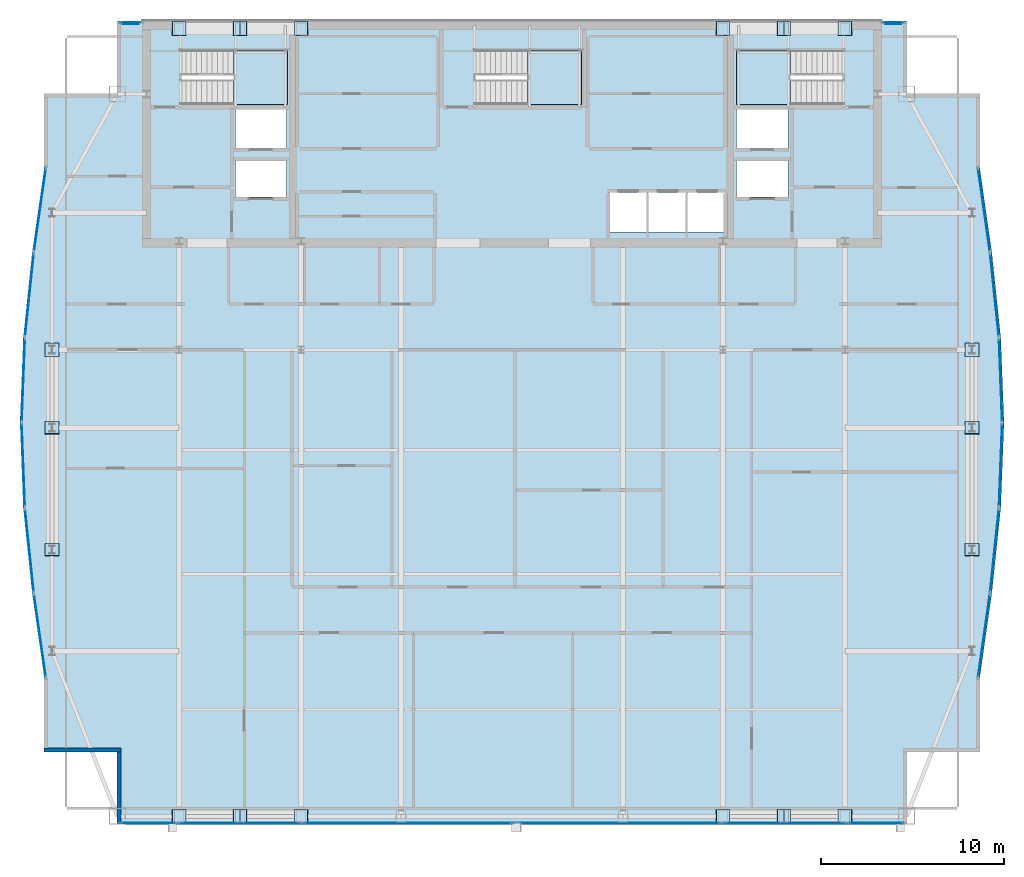
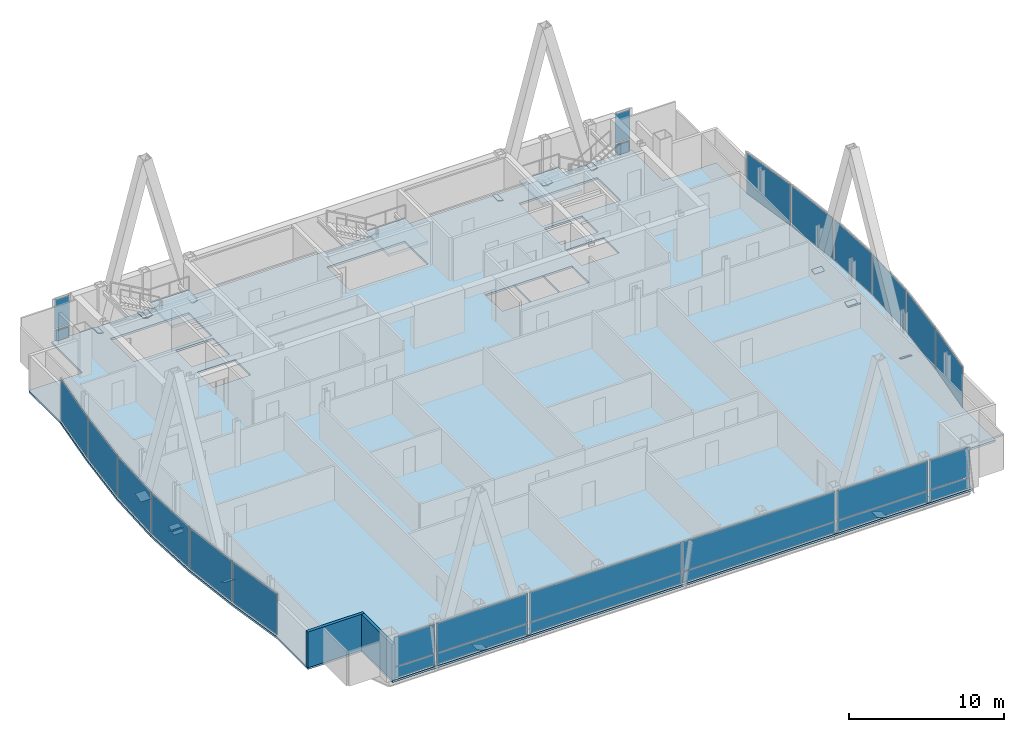
# One storey, part 23 of 29: 54 plates, 4 slabs, 2 walls, 22 elements without a shape of their own.
"""IFC4 building model written with IfcOpenShell, lengths in metres."""

from ifc_helpers import new_model, si_unit, direction, frame, frame_2d, origin, origin_2d, place, context, subcontext, project, spatial, polyline, rectangle, outline, extrude, material, layer, layer_set, type_object, element, aggregate, save


model = new_model("IFC4")

# Units and contexts
model_context = context("Model", 3, precision=1e-05, world=origin(), true_north=direction((0.0, 1.0)))
body_context = subcontext(model_context, "Body", "Model", "MODEL_VIEW")
ifc_project = project(units=[si_unit("LENGTHUNIT", "METRE"), si_unit("AREAUNIT", "SQUARE_METRE"), si_unit("VOLUMEUNIT", "CUBIC_METRE"), si_unit("PLANEANGLEUNIT", "RADIAN"), si_unit("MASSUNIT", "GRAM", prefix="KILO")], contexts=[model_context])

# Site, building, storey
site_placement = place(None, origin())
site = spatial("IfcSite", under=ifc_project, at=site_placement, CompositionType="ELEMENT")
building_placement = place(site_placement, origin())
building = spatial("IfcBuilding", under=site, at=building_placement, Name="Khoronbel Lancet Exchange", CompositionType="ELEMENT")
storey_placement = place(building_placement, frame((0.0, 0.0, 302.199951171875)))
storey = spatial("IfcBuildingStorey", under=building, at=storey_placement, Name="L78", CompositionType="ELEMENT", Elevation=302.199951171875)

# Curtain wall, plate
ifc_material_1 = material(Name="Low-E Solar Control Insulating Glass", Category="glass")
curtain_wall_type_1 = type_object("IfcCurtainWallType", Name="CW-4", PredefinedType="NOTDEFINED", material=ifc_material_1)
curtain_wall_1_placement = place(storey_placement, origin())
curtain_wall_1 = element("IfcCurtainWall", 1, at=curtain_wall_1_placement, inside=storey, type_object=curtain_wall_type_1, Name="Unitised curtain wall CW-L78-E05", PredefinedType="NOTDEFINED")
ifc_material_2 = material(Name="Bronze-Anodised Aluminium 6063-T6", Category="aluminium")
ifc_layer_1 = layer(ifc_material_2, 0.050048828125, Name="Bronze-Anodised Aluminium 6063-T6")
ifc_layer_set_1 = layer_set([ifc_layer_1], Name="Bronze-Anodised Aluminium 6063-T6")
plate_type_1 = type_object("IfcPlateType", Name="PLT-CSP1", PredefinedType="SHEET", material=ifc_layer_set_1)
plate_1_placement = place(storey_placement, frame((10.02783203125, 24.708740234375, 0.0849609375), z_axis=(0.0, 0.0, 1.0), x_axis=(-0.104130613712, 0.994563630588, 0.0)))
plate_1 = element("IfcPlate", 2, at=plate_1_placement, type_object=plate_type_1, Name="CW4 panel 1.1", PredefinedType="CURTAIN_PANEL", context=body_context, shape_type="SweptSolid", body=[
    extrude(rectangle(XDim=4.537353515625, YDim=0.0380859375, at=origin_2d()), origin(), (0.0, 0.0, 1.0), 3.2099609375),
])
aggregate(curtain_wall_1, [plate_1])

curtain_wall_2_placement = place(storey_placement, origin())
curtain_wall_2 = element("IfcCurtainWall", 3, at=curtain_wall_2_placement, inside=storey, type_object=curtain_wall_type_1, Name="Unitised curtain wall CW-L78-E06", PredefinedType="NOTDEFINED")
plate_2_placement = place(storey_placement, frame((9.694580078125, 29.369873046875, 0.0849609375), z_axis=(0.0, 0.0, 1.0), x_axis=(-0.038274190189, 0.99926727474, 0.0)))
plate_2 = element("IfcPlate", 4, at=plate_2_placement, type_object=plate_type_1, Name="CW4 panel 1.1", PredefinedType="CURTAIN_PANEL", context=body_context, shape_type="SweptSolid", body=[
    extrude(rectangle(XDim=4.513671875, YDim=0.0380859375, at=origin_2d()), origin(), (0.0, 0.0, 1.0), 3.2099609375),
])
aggregate(curtain_wall_2, [plate_2])

curtain_wall_3_placement = place(storey_placement, origin())
curtain_wall_3 = element("IfcCurtainWall", 5, at=curtain_wall_3_placement, inside=storey, type_object=curtain_wall_type_1, Name="Unitised curtain wall CW-L78-E07", PredefinedType="NOTDEFINED")
plate_3_placement = place(storey_placement, frame((9.694580078125, 34.030029296875, 0.0849609375), z_axis=(0.0, 0.0, 1.0), x_axis=(0.038274190189, 0.99926727474, 0.0)))
plate_3 = element("IfcPlate", 6, at=plate_3_placement, type_object=plate_type_1, Name="CW4 panel 1.1", PredefinedType="CURTAIN_PANEL", context=body_context, shape_type="SweptSolid", body=[
    extrude(rectangle(XDim=4.513671875, YDim=0.0380859375, at=origin_2d()), origin(), (0.0, 0.0, 1.0), 3.2099609375),
])
aggregate(curtain_wall_3, [plate_3])

curtain_wall_4_placement = place(storey_placement, origin())
curtain_wall_4 = element("IfcCurtainWall", 7, at=curtain_wall_4_placement, inside=storey, type_object=curtain_wall_type_1, Name="Unitised curtain wall CW-L78-E08", PredefinedType="NOTDEFINED")
plate_4_placement = place(storey_placement, frame((10.02783203125, 38.691162109375, 0.0849609375), z_axis=(0.0, 0.0, 1.0), x_axis=(0.104130613712, 0.994563630588, 0.0)))
plate_4 = element("IfcPlate", 8, at=plate_4_placement, type_object=plate_type_1, Name="CW4 panel 1.1", PredefinedType="CURTAIN_PANEL", context=body_context, shape_type="SweptSolid", body=[
    extrude(rectangle(XDim=4.537353515625, YDim=0.0380859375, at=origin_2d()), origin(), (0.0, 0.0, 1.0), 3.2099609375),
])
aggregate(curtain_wall_4, [plate_4])

curtain_wall_type_2 = type_object("IfcCurtainWallType", Name="CW-3", PredefinedType="NOTDEFINED", material=ifc_material_1)
curtain_wall_5_placement = place(storey_placement, origin())
curtain_wall_5 = element("IfcCurtainWall", 9, at=curtain_wall_5_placement, inside=storey, type_object=curtain_wall_type_2, Name="Unitised curtain wall CW-L78-NWFLK", PredefinedType="NOTDEFINED")
plate_5_placement = place(storey_placement, frame((15.580078125, 53.550048828125, 0.0498046875), z_axis=(0.0, 0.0, 1.0), x_axis=(-1.0, 0.0, 0.0)))
plate_5 = element("IfcPlate", 10, at=plate_5_placement, type_object=plate_type_1, Name="Insulated bronze spandrel cassette CW-L78-NWFLK", PredefinedType="SHEET", context=body_context, shape_type="SweptSolid", body=[
    extrude(rectangle(XDim=0.89599609375, YDim=0.050048828125, at=origin_2d()), origin(), (0.0, 0.0, 1.0), 0.800048828125),
])

curtain_wall_6_placement = place(storey_placement, origin())
curtain_wall_6 = element("IfcCurtainWall", 11, at=curtain_wall_6_placement, inside=storey, type_object=curtain_wall_type_2, Name="Unitised curtain wall CW-L78-NEFLK", PredefinedType="NOTDEFINED")
plate_6_placement = place(storey_placement, frame((57.320068359375, 53.550048828125, 0.0498046875), z_axis=(0.0, 0.0, 1.0), x_axis=(-1.0, 0.0, 0.0)))
plate_6 = element("IfcPlate", 12, at=plate_6_placement, type_object=plate_type_1, Name="Insulated bronze spandrel cassette CW-L78-NEFLK", PredefinedType="SHEET", context=body_context, shape_type="SweptSolid", body=[
    extrude(rectangle(XDim=0.89599609375, YDim=0.050048828125, at=origin_2d()), origin(), (0.0, 0.0, 1.0), 0.800048828125),
])

curtain_wall_7_placement = place(storey_placement, origin())
curtain_wall_7 = element("IfcCurtainWall", 13, at=curtain_wall_7_placement, inside=storey, type_object=curtain_wall_type_1, Name="Unitised curtain wall CW-L78-E18", PredefinedType="NOTDEFINED")
plate_7_placement = place(storey_placement, frame((62.8720703125, 38.691162109375, 0.0849609375), z_axis=(0.0, 0.0, 1.0), x_axis=(0.104130613712, -0.994563630588, 0.0)))
plate_7 = element("IfcPlate", 14, at=plate_7_placement, type_object=plate_type_1, Name="CW4 panel 1.1", PredefinedType="CURTAIN_PANEL", context=body_context, shape_type="SweptSolid", body=[
    extrude(rectangle(XDim=4.537353515625, YDim=0.0380859375, at=origin_2d()), origin(), (0.0, 0.0, 1.0), 3.2099609375),
])
aggregate(curtain_wall_7, [plate_7])

curtain_wall_8_placement = place(storey_placement, origin())
curtain_wall_8 = element("IfcCurtainWall", 15, at=curtain_wall_8_placement, inside=storey, type_object=curtain_wall_type_1, Name="Unitised curtain wall CW-L78-E19", PredefinedType="NOTDEFINED")
plate_8_placement = place(storey_placement, frame((63.205322265625, 34.030029296875, 0.0849609375), z_axis=(0.0, 0.0, 1.0), x_axis=(0.038274190189, -0.99926727474, 0.0)))
plate_8 = element("IfcPlate", 16, at=plate_8_placement, type_object=plate_type_1, Name="CW4 panel 1.1", PredefinedType="CURTAIN_PANEL", context=body_context, shape_type="SweptSolid", body=[
    extrude(rectangle(XDim=4.513671875, YDim=0.0380859375, at=origin_2d()), origin(), (0.0, 0.0, 1.0), 3.2099609375),
])
aggregate(curtain_wall_8, [plate_8])

curtain_wall_9_placement = place(storey_placement, origin())
curtain_wall_9 = element("IfcCurtainWall", 17, at=curtain_wall_9_placement, inside=storey, type_object=curtain_wall_type_1, Name="Unitised curtain wall CW-L78-E20", PredefinedType="NOTDEFINED")
plate_9_placement = place(storey_placement, frame((63.205322265625, 29.369873046875, 0.0849609375), z_axis=(0.0, 0.0, 1.0), x_axis=(-0.038274190189, -0.99926727474, 0.0)))
plate_9 = element("IfcPlate", 18, at=plate_9_placement, type_object=plate_type_1, Name="CW4 panel 1.1", PredefinedType="CURTAIN_PANEL", context=body_context, shape_type="SweptSolid", body=[
    extrude(rectangle(XDim=4.513671875, YDim=0.0380859375, at=origin_2d()), origin(), (0.0, 0.0, 1.0), 3.2099609375),
])
aggregate(curtain_wall_9, [plate_9])

curtain_wall_10_placement = place(storey_placement, origin())
curtain_wall_10 = element("IfcCurtainWall", 19, at=curtain_wall_10_placement, inside=storey, type_object=curtain_wall_type_1, Name="Unitised curtain wall CW-L78-E21", PredefinedType="NOTDEFINED")
plate_10_placement = place(storey_placement, frame((62.8720703125, 24.708740234375, 0.0849609375), z_axis=(0.0, 0.0, 1.0), x_axis=(-0.104130613712, -0.994563630588, 0.0)))
plate_10 = element("IfcPlate", 20, at=plate_10_placement, type_object=plate_type_1, Name="CW4 panel 1.1", PredefinedType="CURTAIN_PANEL", context=body_context, shape_type="SweptSolid", body=[
    extrude(rectangle(XDim=4.537353515625, YDim=0.0380859375, at=origin_2d()), origin(), (0.0, 0.0, 1.0), 3.2099609375),
])
aggregate(curtain_wall_10, [plate_10])

# Curtain wall, plates
curtain_wall_11_placement = place(storey_placement, origin())
curtain_wall_11 = element("IfcCurtainWall", 21, at=curtain_wall_11_placement, inside=storey, type_object=curtain_wall_type_2, Name="Unitised curtain wall CW-L78-SWB", PredefinedType="NOTDEFINED")
plate_11_placement = place(storey_placement, frame((21.550048828125, 9.7900390625, 0.0849609375), z_axis=(0.0, 0.0, 1.0), x_axis=(1.0, 0.0, 0.0)))
plate_11 = element("IfcPlate", 22, at=plate_11_placement, type_object=plate_type_1, Name="CW3 panel 1.1", PredefinedType="CURTAIN_PANEL", context=body_context, shape_type="SweptSolid", body=[
    extrude(rectangle(XDim=6.72998046875, YDim=0.0380859375, at=origin_2d()), origin(), (0.0, 0.0, 1.0), 0.822509765625),
])
plate_12_placement = place(storey_placement, frame((21.550048828125, 9.7900390625, 0.99267578125), z_axis=(0.0, 0.0, 1.0), x_axis=(1.0, 0.0, 0.0)))
plate_12 = element("IfcPlate", 23, at=plate_12_placement, type_object=plate_type_1, Name="CW3 panel 1.2", PredefinedType="CURTAIN_PANEL", context=body_context, shape_type="SweptSolid", body=[
    extrude(rectangle(XDim=6.72998046875, YDim=0.0380859375, at=origin_2d()), origin(), (0.0, 0.0, 1.0), 2.302490234375),
])
aggregate(curtain_wall_11, [plate_11, plate_12])

curtain_wall_12_placement = place(storey_placement, origin())
curtain_wall_12 = element("IfcCurtainWall", 24, at=curtain_wall_12_placement, inside=storey, type_object=curtain_wall_type_2, Name="Unitised curtain wall CW-L78-SEB", PredefinedType="NOTDEFINED")
plate_13_placement = place(storey_placement, frame((51.35009765625, 9.7900390625, 0.0849609375), z_axis=(0.0, 0.0, 1.0), x_axis=(1.0, 0.0, 0.0)))
plate_13 = element("IfcPlate", 25, at=plate_13_placement, type_object=plate_type_1, Name="CW3 panel 1.1", PredefinedType="CURTAIN_PANEL", context=body_context, shape_type="SweptSolid", body=[
    extrude(rectangle(XDim=6.72998046875, YDim=0.0380859375, at=origin_2d()), origin(), (0.0, 0.0, 1.0), 0.822509765625),
])
plate_14_placement = place(storey_placement, frame((51.35009765625, 9.7900390625, 0.99267578125), z_axis=(0.0, 0.0, 1.0), x_axis=(1.0, 0.0, 0.0)))
plate_14 = element("IfcPlate", 26, at=plate_14_placement, type_object=plate_type_1, Name="CW3 panel 1.2", PredefinedType="CURTAIN_PANEL", context=body_context, shape_type="SweptSolid", body=[
    extrude(rectangle(XDim=6.72998046875, YDim=0.0380859375, at=origin_2d()), origin(), (0.0, 0.0, 1.0), 2.302490234375),
])
aggregate(curtain_wall_12, [plate_13, plate_14])

# Plate
ifc_layer_2 = layer(ifc_material_1, 0.035888671875, Name="Low-E Solar Control Insulating Glass")
ifc_layer_set_2 = layer_set([ifc_layer_2], Name="Low-E Solar Control Insulating Glass")
plate_type_2 = type_object("IfcPlateType", Name="PLT-CWP1", PredefinedType="CURTAIN_PANEL", material=ifc_layer_set_2)
plate_15_placement = place(storey_placement, frame((15.580078125, 53.610107421875, 0.0849609375), z_axis=(0.0, 0.0, 1.0), x_axis=(-1.0, 0.0, 0.0)))
plate_15 = element("IfcPlate", 27, at=plate_15_placement, type_object=plate_type_2, Name="CW3 panel 1.1", PredefinedType="CURTAIN_PANEL", context=body_context, shape_type="SweptSolid", body=[
    extrude(rectangle(XDim=1.110107421875, YDim=0.0380859375, at=origin_2d()), origin(), (0.0, 0.0, 1.0), 0.822509765625),
])

plate_16_placement = place(storey_placement, frame((15.580078125, 53.610107421875, 0.99267578125), z_axis=(0.0, 0.0, 1.0), x_axis=(-1.0, 0.0, 0.0)))
plate_16 = element("IfcPlate", 28, at=plate_16_placement, type_object=plate_type_2, Name="CW3 panel 1.2", PredefinedType="CURTAIN_PANEL", context=body_context, shape_type="SweptSolid", body=[
    extrude(rectangle(XDim=1.110107421875, YDim=0.0380859375, at=origin_2d()), origin(), (0.0, 0.0, 1.0), 2.302490234375),
])

aggregate(curtain_wall_5, [plate_15, plate_16, plate_5])

plate_17_placement = place(storey_placement, frame((57.320068359375, 53.610107421875, 0.0849609375), z_axis=(0.0, 0.0, 1.0), x_axis=(-1.0, 0.0, 0.0)))
plate_17 = element("IfcPlate", 29, at=plate_17_placement, type_object=plate_type_2, Name="CW3 panel 1.1", PredefinedType="CURTAIN_PANEL", context=body_context, shape_type="SweptSolid", body=[
    extrude(rectangle(XDim=1.110107421875, YDim=0.0380859375, at=origin_2d()), origin(), (0.0, 0.0, 1.0), 0.822509765625),
])

plate_18_placement = place(storey_placement, frame((57.320068359375, 53.610107421875, 0.99267578125), z_axis=(0.0, 0.0, 1.0), x_axis=(-1.0, 0.0, 0.0)))
plate_18 = element("IfcPlate", 30, at=plate_18_placement, type_object=plate_type_2, Name="CW3 panel 1.2", PredefinedType="CURTAIN_PANEL", context=body_context, shape_type="SweptSolid", body=[
    extrude(rectangle(XDim=1.110107421875, YDim=0.0380859375, at=origin_2d()), origin(), (0.0, 0.0, 1.0), 2.302490234375),
])

aggregate(curtain_wall_6, [plate_17, plate_18, plate_6])

# Curtain wall, plates
curtain_wall_13_placement = place(storey_placement, origin())
curtain_wall_13 = element("IfcCurtainWall", 31, at=curtain_wall_13_placement, inside=storey, type_object=curtain_wall_type_2, Name="Unitised curtain wall CW-L78-SWV", PredefinedType="NOTDEFINED")
plate_19_placement = place(storey_placement, frame((16.52001953125, 9.7900390625, 0.0849609375), z_axis=(0.0, 0.0, 1.0), x_axis=(1.0, 0.0, 0.0)))
plate_19 = element("IfcPlate", 32, at=plate_19_placement, type_object=plate_type_2, Name="CW3 panel 1.1", PredefinedType="CURTAIN_PANEL", context=body_context, shape_type="SweptSolid", body=[
    extrude(rectangle(XDim=2.989990234375, YDim=0.0380859375, at=origin_2d()), origin(), (0.0, 0.0, 1.0), 0.822509765625),
])
plate_20_placement = place(storey_placement, frame((16.52001953125, 9.7900390625, 0.99267578125), z_axis=(0.0, 0.0, 1.0), x_axis=(1.0, 0.0, 0.0)))
plate_20 = element("IfcPlate", 33, at=plate_20_placement, type_object=plate_type_2, Name="CW3 panel 1.2", PredefinedType="CURTAIN_PANEL", context=body_context, shape_type="SweptSolid", body=[
    extrude(rectangle(XDim=2.989990234375, YDim=0.0380859375, at=origin_2d()), origin(), (0.0, 0.0, 1.0), 2.302490234375),
])
aggregate(curtain_wall_13, [plate_19, plate_20])

curtain_wall_14_placement = place(storey_placement, origin())
curtain_wall_14 = element("IfcCurtainWall", 34, at=curtain_wall_14_placement, inside=storey, type_object=curtain_wall_type_2, Name="Unitised curtain wall CW-L78-SCV", PredefinedType="NOTDEFINED")
plate_21_placement = place(storey_placement, frame((30.746337890625, 9.7900390625, 0.0849609375), z_axis=(0.0, 0.0, 1.0), x_axis=(1.0, 0.0, 0.0)))
plate_21 = element("IfcPlate", 35, at=plate_21_placement, type_object=plate_type_2, Name="CW3 panel 1.1", PredefinedType="CURTAIN_PANEL", context=body_context, shape_type="SweptSolid", body=[
    extrude(rectangle(XDim=11.322509765625, YDim=0.0380859375, at=origin_2d()), origin(), (0.0, 0.0, 1.0), 0.822509765625),
])
plate_22_placement = place(storey_placement, frame((30.746337890625, 9.7900390625, 0.99267578125), z_axis=(0.0, 0.0, 1.0), x_axis=(1.0, 0.0, 0.0)))
plate_22 = element("IfcPlate", 36, at=plate_22_placement, type_object=plate_type_2, Name="CW3 panel 1.2", PredefinedType="CURTAIN_PANEL", context=body_context, shape_type="SweptSolid", body=[
    extrude(rectangle(XDim=11.322509765625, YDim=0.0380859375, at=origin_2d()), origin(), (0.0, 0.0, 1.0), 2.302490234375),
])
plate_23_placement = place(storey_placement, frame((42.15380859375, 9.7900390625, 0.0849609375), z_axis=(0.0, 0.0, 1.0), x_axis=(1.0, 0.0, 0.0)))
plate_23 = element("IfcPlate", 37, at=plate_23_placement, type_object=plate_type_2, Name="CW3 panel 2.1", PredefinedType="CURTAIN_PANEL", context=body_context, shape_type="SweptSolid", body=[
    extrude(rectangle(XDim=11.322509765625, YDim=0.0380859375, at=origin_2d()), origin(), (0.0, 0.0, 1.0), 0.822509765625),
])
plate_24_placement = place(storey_placement, frame((42.15380859375, 9.7900390625, 0.99267578125), z_axis=(0.0, 0.0, 1.0), x_axis=(1.0, 0.0, 0.0)))
plate_24 = element("IfcPlate", 38, at=plate_24_placement, type_object=plate_type_2, Name="CW3 panel 2.2", PredefinedType="CURTAIN_PANEL", context=body_context, shape_type="SweptSolid", body=[
    extrude(rectangle(XDim=11.322509765625, YDim=0.0380859375, at=origin_2d()), origin(), (0.0, 0.0, 1.0), 2.302490234375),
])
aggregate(curtain_wall_14, [plate_21, plate_22, plate_23, plate_24])

curtain_wall_15_placement = place(storey_placement, origin())
curtain_wall_15 = element("IfcCurtainWall", 39, at=curtain_wall_15_placement, inside=storey, type_object=curtain_wall_type_2, Name="Unitised curtain wall CW-L78-SEV", PredefinedType="NOTDEFINED")
plate_25_placement = place(storey_placement, frame((56.3798828125, 9.7900390625, 0.0849609375), z_axis=(0.0, 0.0, 1.0), x_axis=(1.0, 0.0, 0.0)))
plate_25 = element("IfcPlate", 40, at=plate_25_placement, type_object=plate_type_2, Name="CW3 panel 1.1", PredefinedType="CURTAIN_PANEL", context=body_context, shape_type="SweptSolid", body=[
    extrude(rectangle(XDim=2.989990234375, YDim=0.0380859375, at=origin_2d()), origin(), (0.0, 0.0, 1.0), 0.822509765625),
])
plate_26_placement = place(storey_placement, frame((56.3798828125, 9.7900390625, 0.99267578125), z_axis=(0.0, 0.0, 1.0), x_axis=(1.0, 0.0, 0.0)))
plate_26 = element("IfcPlate", 41, at=plate_26_placement, type_object=plate_type_2, Name="CW3 panel 1.2", PredefinedType="CURTAIN_PANEL", context=body_context, shape_type="SweptSolid", body=[
    extrude(rectangle(XDim=2.989990234375, YDim=0.0380859375, at=origin_2d()), origin(), (0.0, 0.0, 1.0), 2.302490234375),
])
aggregate(curtain_wall_15, [plate_25, plate_26])

# Curtain wall, plate
curtain_wall_16_placement = place(storey_placement, origin())
curtain_wall_16 = element("IfcCurtainWall", 42, at=curtain_wall_16_placement, inside=storey, type_object=curtain_wall_type_1, Name="Unitised curtain wall CW-L78-E04", PredefinedType="NOTDEFINED")
ifc_material_3 = material(Name="Ceramic-Fritted Laminated Insulating Glass", Category="glass")
ifc_layer_3 = layer(ifc_material_3, 0.0419921875, Name="Ceramic-Fritted Laminated Insulating Glass")
ifc_layer_set_3 = layer_set([ifc_layer_3], Name="Ceramic-Fritted Laminated Insulating Glass")
plate_type_3 = type_object("IfcPlateType", Name="PLT-CWP2", PredefinedType="CURTAIN_PANEL", material=ifc_layer_set_3)
plate_27_placement = place(storey_placement, frame((10.60595703125, 20.0419921875, 0.0849609375), z_axis=(0.0, 0.0, 1.0), x_axis=(-0.141557826802, 0.989929988267, 0.0)))
plate_27 = element("IfcPlate", 43, at=plate_27_placement, type_object=plate_type_3, Name="CW4 panel 1.1", PredefinedType="CURTAIN_PANEL", context=body_context, shape_type="SweptSolid", body=[
    extrude(rectangle(XDim=4.56884765625, YDim=0.0380859375, at=origin_2d()), origin(), (0.0, 0.0, 1.0), 3.2099609375),
])
aggregate(curtain_wall_16, [plate_27])

curtain_wall_17_placement = place(storey_placement, origin())
curtain_wall_17 = element("IfcCurtainWall", 44, at=curtain_wall_17_placement, inside=storey, type_object=curtain_wall_type_1, Name="Unitised curtain wall CW-L78-E09", PredefinedType="NOTDEFINED")
plate_28_placement = place(storey_placement, frame((10.60595703125, 43.35791015625, 0.0849609375), z_axis=(0.0, 0.0, 1.0), x_axis=(0.141557826802, 0.989929988267, 0.0)))
plate_28 = element("IfcPlate", 45, at=plate_28_placement, type_object=plate_type_3, Name="CW4 panel 1.1", PredefinedType="CURTAIN_PANEL", context=body_context, shape_type="SweptSolid", body=[
    extrude(rectangle(XDim=4.56884765625, YDim=0.0380859375, at=origin_2d()), origin(), (0.0, 0.0, 1.0), 3.2099609375),
])
aggregate(curtain_wall_17, [plate_28])

curtain_wall_18_placement = place(storey_placement, origin())
curtain_wall_18 = element("IfcCurtainWall", 46, at=curtain_wall_18_placement, inside=storey, type_object=curtain_wall_type_1, Name="Unitised curtain wall CW-L78-E17", PredefinedType="NOTDEFINED")
plate_29_placement = place(storey_placement, frame((62.2939453125, 43.35791015625, 0.0849609375), z_axis=(0.0, 0.0, 1.0), x_axis=(0.141557826802, -0.989929988267, 0.0)))
plate_29 = element("IfcPlate", 47, at=plate_29_placement, type_object=plate_type_3, Name="CW4 panel 1.1", PredefinedType="CURTAIN_PANEL", context=body_context, shape_type="SweptSolid", body=[
    extrude(rectangle(XDim=4.56884765625, YDim=0.0380859375, at=origin_2d()), origin(), (0.0, 0.0, 1.0), 3.2099609375),
])
aggregate(curtain_wall_18, [plate_29])

curtain_wall_19_placement = place(storey_placement, origin())
curtain_wall_19 = element("IfcCurtainWall", 48, at=curtain_wall_19_placement, inside=storey, type_object=curtain_wall_type_1, Name="Unitised curtain wall CW-L78-E22", PredefinedType="NOTDEFINED")
plate_30_placement = place(storey_placement, frame((62.2939453125, 20.0419921875, 0.0849609375), z_axis=(0.0, 0.0, 1.0), x_axis=(-0.141557826802, -0.989929988267, 0.0)))
plate_30 = element("IfcPlate", 49, at=plate_30_placement, type_object=plate_type_3, Name="CW4 panel 1.1", PredefinedType="CURTAIN_PANEL", context=body_context, shape_type="SweptSolid", body=[
    extrude(rectangle(XDim=4.56884765625, YDim=0.0380859375, at=origin_2d()), origin(), (0.0, 0.0, 1.0), 3.2099609375),
])
aggregate(curtain_wall_19, [plate_30])

# Plates
ifc_material_4 = material(Name="Steel S460", Category="steel")
ifc_layer_4 = layer(ifc_material_4, 0.044921875, Name="Steel S460")
ifc_layer_set_4 = layer_set([ifc_layer_4], Name="Steel S460")
plate_type_4 = type_object("IfcPlateType", Name="PLT-ECP1", PredefinedType="USERDEFINED", material=ifc_layer_set_4)
for number, where, z_axis, x_axis, name in (
    (50, (21.935302734375, 9.77001953125, -0.08056640625), (0.295236958021, 0.0, 0.955424062193), (0.0, 1.0, 0.0), "Hollow end cap plate PLT-CAP-MEM-MB-T26-S-W-L-1"),
    (51, (21.189697265625, 10.530029296875, -0.08056640625), (-0.295236958021, 0.0, 0.955424062193), (0.0, -1.0, 0.0), "Hollow end cap plate PLT-CAP-MEM-MB-T26-S-W-R-1"),
    (52, (51.710205078125, 9.77001953125, -0.08056640625), (0.295236958021, 0.0, 0.955424062193), (0.0, 1.0, 0.0), "Hollow end cap plate PLT-CAP-MEM-MB-T26-S-E-L-1"),
):
    element("IfcPlate", number, at=place(storey_placement, frame(where, z_axis=z_axis, x_axis=x_axis)), inside=storey, type_object=plate_type_4, Name=name, ObjectType="STIFFENER_PLATE", PredefinedType="USERDEFINED", context=body_context, shape_type="SweptSolid", body=[
        extrude(outline(polyline([(0.0, 0.0), (0.760009765625, 0.0), (0.760009765625, 0.760009765625), (0.0, 0.760009765625), (0.0, 0.0)])), origin(), (0.0, 0.0, -1.0), 0.044921875),
    ])
plate_31_placement = place(storey_placement, frame((50.964599609375, 10.530029296875, -0.08056640625), z_axis=(-0.295146364908, 0.0, 0.955452051796), x_axis=(0.0, -1.0, 0.0)))
element("IfcPlate", 53, at=plate_31_placement, inside=storey, type_object=plate_type_4, Name="Hollow end cap plate PLT-CAP-MEM-MB-T26-S-E-R-1", ObjectType="STIFFENER_PLATE", PredefinedType="USERDEFINED", context=body_context, shape_type="SweptSolid", body=[
    extrude(outline(polyline([(0.0, 0.0), (0.760009765625, 0.0), (0.760009765625, 0.76025390625), (0.0, 0.76025390625), (0.0, 0.0)])), origin(), (0.0, 0.0, -1.0), 0.044921875),
])
for number, where, z_axis, x_axis, name in (
    (54, (21.935302734375, 52.89990234375, -0.08056640625), (0.295236958021, 0.0, 0.955424062193), (0.0, 1.0, 0.0), "Hollow end cap plate PLT-CAP-MEM-MB-T26-N-W-L-1"),
    (55, (21.189697265625, 53.659912109375, -0.08056640625), (-0.295236958021, 0.0, 0.955424062193), (0.0, -1.0, 0.0), "Hollow end cap plate PLT-CAP-MEM-MB-T26-N-W-R-1"),
    (56, (51.710205078125, 52.89990234375, -0.08056640625), (0.295236958021, 0.0, 0.955424062193), (0.0, 1.0, 0.0), "Hollow end cap plate PLT-CAP-MEM-MB-T26-N-E-L-1"),
):
    element("IfcPlate", number, at=place(storey_placement, frame(where, z_axis=z_axis, x_axis=x_axis)), inside=storey, type_object=plate_type_4, Name=name, ObjectType="STIFFENER_PLATE", PredefinedType="USERDEFINED", context=body_context, shape_type="SweptSolid", body=[
        extrude(outline(polyline([(0.0, 0.0), (0.760009765625, 0.0), (0.760009765625, 0.760009765625), (0.0, 0.760009765625), (0.0, 0.0)])), origin(), (0.0, 0.0, -1.0), 0.044921875),
    ])
plate_32_placement = place(storey_placement, frame((50.964599609375, 53.659912109375, -0.08056640625), z_axis=(-0.295146364908, 0.0, 0.955452051796), x_axis=(0.0, -1.0, 0.0)))
element("IfcPlate", 57, at=plate_32_placement, inside=storey, type_object=plate_type_4, Name="Hollow end cap plate PLT-CAP-MEM-MB-T26-N-E-R-1", ObjectType="STIFFENER_PLATE", PredefinedType="USERDEFINED", context=body_context, shape_type="SweptSolid", body=[
    extrude(outline(polyline([(0.0, 0.0), (0.760009765625, 0.0), (0.760009765625, 0.76025390625), (0.0, 0.76025390625), (0.0, 0.0)])), origin(), (0.0, 0.0, -1.0), 0.044921875),
])
for number, where, z_axis, x_axis, name in (
    (58, (11.64990234375, 31.765625, -0.171630859375), (0.0, 0.525602314326, 0.850730396292), (-1.0, 0.0, 0.0), "Hollow end cap plate PLT-CAP-MEM-MB-T26-W-P-L-1"),
    (59, (10.889892578125, 31.0595703125, -0.109130859375), (0.0, -0.368175750156, 0.929756213745), (1.0, 0.0, 0.0), "Hollow end cap plate PLT-CAP-MEM-MB-T26-W-P-R-1"),
    (60, (62.010009765625, 31.765625, -0.171630859375), (0.0, 0.525602314326, 0.850730396292), (-1.0, 0.0, 0.0), "Hollow end cap plate PLT-CAP-MEM-MB-T26-E-P-L-1"),
    (61, (61.25, 31.0595703125, -0.109130859375), (0.0, -0.368175750156, 0.929756213745), (1.0, 0.0, 0.0), "Hollow end cap plate PLT-CAP-MEM-MB-T26-E-P-R-1"),
    (62, (18.594970703125, 9.77001953125, -0.087158203125), (0.259881310271, 0.0, 0.965640566967), (0.0, 1.0, 0.0), "Hollow end cap plate PLT-CAP-MEM-MB-T27-S-W-L-0"),
    (63, (24.530029296875, 10.530029296875, -0.087158203125), (-0.259881310271, 0.0, 0.965640566967), (0.0, -1.0, 0.0), "Hollow end cap plate PLT-CAP-MEM-MB-T27-S-W-R-0"),
    (64, (48.3701171875, 9.77001953125, -0.087158203125), (0.259881310271, 0.0, 0.965640566967), (0.0, 1.0, 0.0), "Hollow end cap plate PLT-CAP-MEM-MB-T27-S-E-L-0"),
    (65, (54.304931640625, 10.530029296875, -0.087158203125), (-0.259881310271, 0.0, 0.965640566967), (0.0, -1.0, 0.0), "Hollow end cap plate PLT-CAP-MEM-MB-T27-S-E-R-0"),
    (66, (18.594970703125, 52.89990234375, -0.087158203125), (0.259881310271, 0.0, 0.965640566967), (0.0, 1.0, 0.0), "Hollow end cap plate PLT-CAP-MEM-MB-T27-N-W-L-0"),
    (67, (24.530029296875, 53.659912109375, -0.087158203125), (-0.259881310271, 0.0, 0.965640566967), (0.0, -1.0, 0.0), "Hollow end cap plate PLT-CAP-MEM-MB-T27-N-W-R-0"),
    (68, (48.3701171875, 52.89990234375, -0.087158203125), (0.259881310271, 0.0, 0.965640566967), (0.0, 1.0, 0.0), "Hollow end cap plate PLT-CAP-MEM-MB-T27-N-E-L-0"),
    (69, (54.304931640625, 53.659912109375, -0.087158203125), (-0.259881310271, 0.0, 0.965640566967), (0.0, -1.0, 0.0), "Hollow end cap plate PLT-CAP-MEM-MB-T27-N-E-R-0"),
    (70, (11.64990234375, 25.09033203125, -0.16943359375), (0.0, 0.473869908862, 0.880594861145), (-1.0, 0.0, 0.0), "Hollow end cap plate PLT-CAP-MEM-MB-T27-W-P-L-0"),
    (71, (10.889892578125, 35.3369140625, -0.112548828125), (0.0, -0.326040180395, 0.945355912219), (1.0, 0.0, 0.0), "Hollow end cap plate PLT-CAP-MEM-MB-T27-W-P-R-0"),
    (72, (62.010009765625, 25.09033203125, -0.16943359375), (0.0, 0.473869908862, 0.880594861145), (-1.0, 0.0, 0.0), "Hollow end cap plate PLT-CAP-MEM-MB-T27-E-P-L-0"),
    (73, (61.25, 35.3369140625, -0.112548828125), (0.0, -0.326040180395, 0.945355912219), (1.0, 0.0, 0.0), "Hollow end cap plate PLT-CAP-MEM-MB-T27-E-P-R-0"),
):
    element("IfcPlate", number, at=place(storey_placement, frame(where, z_axis=z_axis, x_axis=x_axis)), inside=storey, type_object=plate_type_4, Name=name, ObjectType="STIFFENER_PLATE", PredefinedType="USERDEFINED", context=body_context, shape_type="SweptSolid", body=[
        extrude(outline(polyline([(0.0, 0.0), (0.760009765625, 0.0), (0.760009765625, 0.760009765625), (0.0, 0.760009765625), (0.0, 0.0)])), origin(), (0.0, 0.0, -1.0), 0.044921875),
    ])

# Slab
ifc_material_5 = material(Name="Concrete C40/50", Category="concrete")
ifc_layer_5 = layer(ifc_material_5, 0.159912109375, Name="Concrete C40/50")
ifc_layer_set_5 = layer_set([ifc_layer_5], Name="Concrete C40/50")
slab_type_1 = type_object("IfcSlabType", Name="SL-FL160", PredefinedType="FLOOR", material=ifc_layer_set_5)
slab_1_placement = place(storey_placement, frame((0.0, 0.0, -0.159912109375)))
element("IfcSlab", 74, at=slab_1_placement, inside=storey, type_object=slab_type_1, Name="Level L78 composite structural floor slab", PredefinedType="FLOOR", context=body_context, shape_type="SweptSolid", body=[
    extrude(outline(polyline([(14.85009765625, 9.699951171875), (58.050048828125, 9.699951171875), (58.050048828125, 13.699951171875), (62.050048828125, 13.699951171875), (62.050048828125, 17.699951171875), (62.71728515625, 22.36669921875), (63.205810546875, 27.033203125), (63.384765625, 31.699951171875), (63.205810546875, 36.36669921875), (62.71728515625, 41.033203125), (62.050048828125, 45.699951171875), (62.050048828125, 49.699951171875), (58.050048828125, 49.699951171875), (58.050048828125, 53.699951171875), (14.85009765625, 53.699951171875), (14.85009765625, 49.699951171875), (10.85009765625, 49.699951171875), (10.85009765625, 45.699951171875), (10.1826171875, 41.033203125), (9.694091796875, 36.36669921875), (9.515380859375, 31.699951171875), (9.694091796875, 27.033203125), (10.1826171875, 22.36669921875), (10.85009765625, 17.699951171875), (10.85009765625, 13.699951171875), (14.85009765625, 13.699951171875), (14.85009765625, 9.699951171875)]), holes=[polyline([(18.324951171875, 49.1201171875), (24.14990234375, 49.1201171875), (24.14990234375, 52.10009765625), (18.324951171875, 52.10009765625), (18.324951171875, 49.1201171875)]), polyline([(48.75, 49.1201171875), (54.574951171875, 49.1201171875), (54.574951171875, 52.10009765625), (48.75, 52.10009765625), (48.75, 49.1201171875)]), polyline([(34.425048828125, 49.1201171875), (40.25, 49.1201171875), (40.25, 52.10009765625), (34.425048828125, 52.10009765625), (34.425048828125, 49.1201171875)]), polyline([(41.739990234375, 42.14990234375), (43.8798828125, 42.14990234375), (43.8798828125, 44.300048828125), (41.739990234375, 44.300048828125), (41.739990234375, 42.14990234375)]), polyline([(43.89990234375, 42.14990234375), (46.0400390625, 42.14990234375), (46.0400390625, 44.300048828125), (43.89990234375, 44.300048828125), (43.89990234375, 42.14990234375)]), polyline([(46.06005859375, 42.14990234375), (48.199951171875, 42.14990234375), (48.199951171875, 44.300048828125), (46.06005859375, 44.300048828125), (46.06005859375, 42.14990234375)]), polyline([(21.300048828125, 46.75), (24.10009765625, 46.75), (24.10009765625, 48.85009765625), (21.300048828125, 48.85009765625), (21.300048828125, 46.75)]), polyline([(48.75, 46.75), (51.550048828125, 46.75), (51.550048828125, 48.85009765625), (48.75, 48.85009765625), (48.75, 46.75)]), polyline([(21.300048828125, 44.050048828125), (24.10009765625, 44.050048828125), (24.10009765625, 46.050048828125), (21.300048828125, 46.050048828125), (21.300048828125, 44.050048828125)]), polyline([(48.75, 44.050048828125), (51.550048828125, 44.050048828125), (51.550048828125, 46.050048828125), (48.75, 46.050048828125), (48.75, 44.050048828125)])]), origin(), (0.0, 0.0, 1.0), 0.159912109375),
])

# Stair, slab
stair_type = type_object("IfcStairType", Name="STR-CORE150", PredefinedType="HALF_TURN_STAIR", material=ifc_material_5)
stair_1_placement = place(storey_placement, origin())
stair_1 = element("IfcStair", 75, at=stair_1_placement, inside=storey, type_object=stair_type, Name="L78 Protected Exit Stair ST1", PredefinedType="HALF_TURN_STAIR")
ifc_layer_6 = layer(ifc_material_5, 0.199951171875, Name="Concrete C40/50")
ifc_layer_set_6 = layer_set([ifc_layer_6], Name="Concrete C40/50")
slab_type_2 = type_object("IfcSlabType", Name="SL-LND180", PredefinedType="LANDING", material=ifc_layer_set_6)
slab_2_placement = place(storey_placement, frame((0.0, 0.0, 1.60009765625)))
slab_2 = element("IfcSlab", 76, at=slab_2_placement, type_object=slab_type_2, Name="ST1 landing 1", PredefinedType="LANDING", context=body_context, shape_type="SweptSolid", body=[
    extrude(outline(polyline([(21.199951171875, 49.1201171875), (24.14990234375, 49.1201171875), (24.14990234375, 52.10009765625), (21.199951171875, 52.10009765625), (21.199951171875, 49.1201171875)])), origin(), (0.0, 0.0, 1.0), 0.199951171875),
])
aggregate(stair_1, [slab_2])

stair_2_placement = place(storey_placement, origin())
stair_2 = element("IfcStair", 77, at=stair_2_placement, inside=storey, type_object=stair_type, Name="L78 Protected Exit Stair ST2", PredefinedType="HALF_TURN_STAIR")
slab_3_placement = place(storey_placement, frame((0.0, 0.0, 1.60009765625)))
slab_3 = element("IfcSlab", 78, at=slab_3_placement, type_object=slab_type_2, Name="ST2 landing 1", PredefinedType="LANDING", context=body_context, shape_type="SweptSolid", body=[
    extrude(outline(polyline([(51.699951171875, 52.10009765625), (48.75, 52.10009765625), (48.75, 49.1201171875), (51.699951171875, 49.1201171875), (51.699951171875, 52.10009765625)])), origin(), (0.0, 0.0, 1.0), 0.199951171875),
])
aggregate(stair_2, [slab_3])

stair_3_placement = place(storey_placement, origin())
stair_3 = element("IfcStair", 79, at=stair_3_placement, inside=storey, type_object=stair_type, Name="L78 Protected Exit Stair ST3", PredefinedType="HALF_TURN_STAIR")
slab_4_placement = place(storey_placement, frame((0.0, 0.0, 1.60009765625)))
slab_4 = element("IfcSlab", 80, at=slab_4_placement, type_object=slab_type_2, Name="ST3 landing 1", PredefinedType="LANDING", context=body_context, shape_type="SweptSolid", body=[
    extrude(outline(polyline([(37.300048828125, 49.1201171875), (40.25, 49.1201171875), (40.25, 52.10009765625), (37.300048828125, 52.10009765625), (37.300048828125, 49.1201171875)])), origin(), (0.0, 0.0, 1.0), 0.199951171875),
])
aggregate(stair_3, [slab_4])

# Walls
ifc_material_6 = material(Name="Precast concrete C40/50", Category="concrete")
ifc_layer_7 = layer(ifc_material_6, 0.25, Name="Precast concrete C40/50")
ifc_layer_set_7 = layer_set([ifc_layer_7], Name="Precast concrete C40/50")
wall_type = type_object("IfcWallType", Name="WL-EXT250", PredefinedType="SOLIDWALL", material=ifc_layer_set_7)
wall_1_placement = place(storey_placement, frame((14.93994140625, 9.77001953125, 0.0), z_axis=(0.0, 0.0, 1.0), x_axis=(0.0, 1.0, 0.0)))
element("IfcWall", 81, at=wall_1_placement, inside=storey, type_object=wall_type, Name="Level L78 notched-corner limestone pier 01", PredefinedType="SOLIDWALL", context=body_context, shape_type="SweptSolid", body=[
    extrude(rectangle(XDim=3.909912109375, YDim=0.219970703125, at=frame_2d((1.955078125, 0.0))), origin(), (0.0, 0.0, 1.0), 2.820068359375),
])
wall_2_placement = place(storey_placement, frame((15.050048828125, 13.7900390625, 0.0), z_axis=(0.0, 0.0, 1.0), x_axis=(-1.0, 0.0, 0.0)))
element("IfcWall", 82, at=wall_2_placement, inside=storey, type_object=wall_type, Name="Level L78 notched-corner limestone pier 02", PredefinedType="SOLIDWALL", context=body_context, shape_type="SweptSolid", body=[
    extrude(rectangle(XDim=4.219970703125, YDim=0.219970703125, at=frame_2d((2.10986328125, 0.0))), origin(), (0.0, 0.0, 1.0), 2.820068359375),
])

save(model, "model.ifc")
